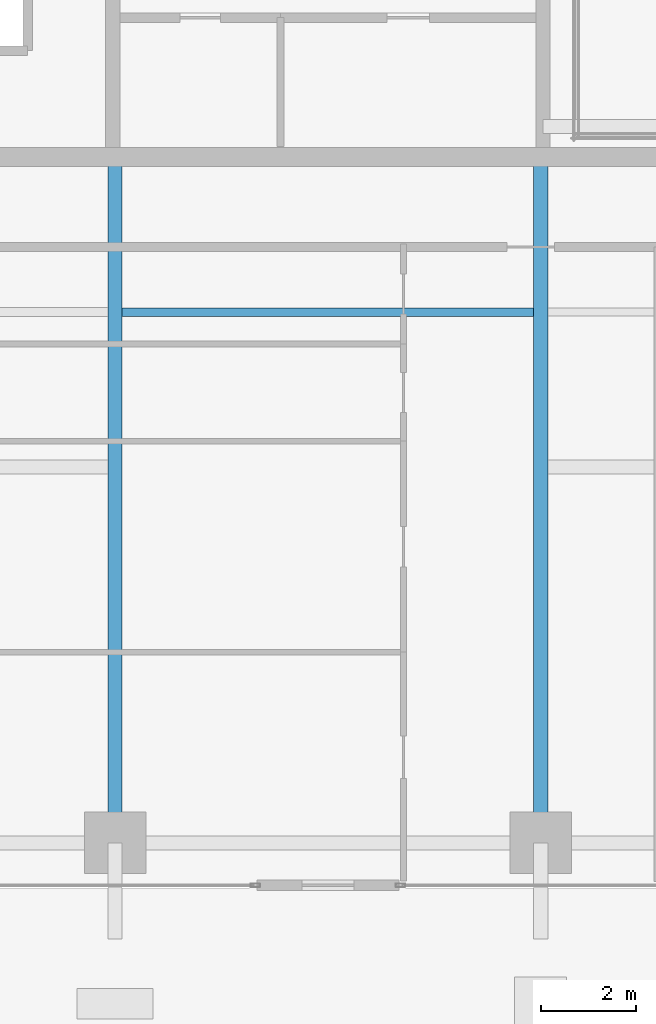
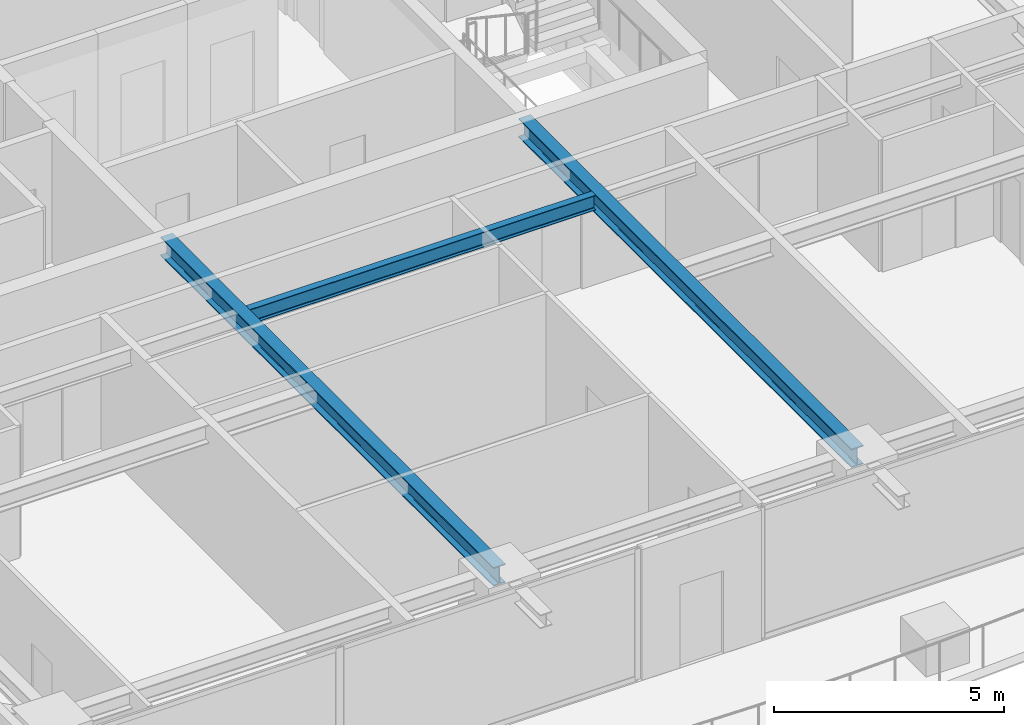
# One storey, part 6 of 37: 3 beams.
"""IFC4 building model written with IfcOpenShell, lengths in metres."""

from ifc_helpers import new_model, si_unit, direction, frame, origin, origin_2d, place, context, subcontext, project, spatial, i_section, extrude, source, transform, mapped, material, material_profile, profile_set, type_object, element, save


model = new_model("IFC4")

# Units and contexts
model_context = context("Model", 3, precision=1e-05, world=origin(), true_north=direction((0.0, 1.0)))
body_context = subcontext(model_context, "Body", "Model", "MODEL_VIEW")
ifc_project = project(units=[si_unit("LENGTHUNIT", "METRE"), si_unit("AREAUNIT", "SQUARE_METRE"), si_unit("VOLUMEUNIT", "CUBIC_METRE"), si_unit("PLANEANGLEUNIT", "RADIAN"), si_unit("MASSUNIT", "GRAM", prefix="KILO")], contexts=[model_context])

# Site, building, storey
site_placement = place(None, origin())
site = spatial("IfcSite", under=ifc_project, at=site_placement, CompositionType="ELEMENT")
building_placement = place(site_placement, origin())
building = spatial("IfcBuilding", under=site, at=building_placement, Name="Serunith Strait Residences", CompositionType="ELEMENT")
storey_placement = place(building_placement, frame((0.0, 0.0, 161.39990234375)))
storey = spatial("IfcBuildingStorey", under=building, at=storey_placement, Name="L40", CompositionType="ELEMENT", Elevation=161.39990234375)

# Beams
ifc_material = material(Name="Steel S355J2", Category="steel")
ifc_material_profile_1 = material_profile(ifc_material, i_section(OverallWidth=0.179931640625, OverallDepth=0.39990234375, WebThickness=0.008544921875, FlangeThickness=0.013427734375, FilletRadius=0.02099609375, at=origin_2d()), Name="IPE 400")
ifc_profile_set_1 = profile_set([ifc_material_profile_1], Name="Steel S355J2")
beam_type_1 = type_object("IfcBeamType", Name="BM-IPE400", PredefinedType="JOIST", material=ifc_profile_set_1)
shared_shape_1 = source(origin(), body_context, "Body", "SweptSolid", [
    extrude(i_section(OverallWidth=0.179931640625, OverallDepth=0.39990234375, WebThickness=0.008544921875, FlangeThickness=0.013427734375, FilletRadius=0.02099609375, at=origin_2d()), origin(), (0.0, 0.0, 1.0), 8.699951171875),
])
beam_placement = place(storey_placement, frame((28.050048828125, 13.52490234375, 3.287109375), z_axis=(1.0, 0.0, 0.0), x_axis=(0.0, 1.0, 0.0)))
element("IfcBeam", 1, at=beam_placement, inside=storey, type_object=beam_type_1, Name="L40 Composite Floor Joist 02", PredefinedType="JOIST", context=body_context, shape_type="MappedRepresentation", body=[
    mapped(shared_shape_1, transform((0.0, 0.0, 0.0), scale=1.0)),
])
ifc_material_profile_2 = material_profile(ifc_material, i_section(OverallWidth=0.300048828125, OverallDepth=0.5, WebThickness=0.014404296875, FlangeThickness=0.028076171875, FilletRadius=0.027099609375, at=origin_2d()), Name="HEB 500")
ifc_profile_set_2 = profile_set([ifc_material_profile_2], Name="Steel S355J2")
beam_type_2 = type_object("IfcBeamType", Name="BM-HEB500", PredefinedType="BEAM", material=ifc_profile_set_2)
shared_shape_2 = source(origin(), body_context, "Body", "SweptSolid", [
    extrude(i_section(OverallWidth=0.300048828125, OverallDepth=0.5, WebThickness=0.014404296875, FlangeThickness=0.028076171875, FilletRadius=0.027099609375, at=origin_2d()), origin(), (0.0, 0.0, 1.0), 14.5),
])
for number, where, z_axis, x_axis, name in (
    (2, (27.89990234375, 16.800048828125, 3.237060546875), (0.0, -1.0, 0.0), (1.0, 0.0, 0.0), "L40 Primary Floor Girder TC-S2"),
    (3, (36.89990234375, 16.800048828125, 3.237060546875), (0.0, -1.0, 0.0), (1.0, 0.0, 0.0), "L40 Primary Floor Girder TC-S3"),
):
    element("IfcBeam", number, at=place(storey_placement, frame(where, z_axis=z_axis, x_axis=x_axis)), inside=storey, type_object=beam_type_2, Name=name, PredefinedType="BEAM", context=body_context, shape_type="MappedRepresentation", body=[
        mapped(shared_shape_2, transform((0.0, 0.0, 0.0), scale=1.0)),
    ])

save(model, "model.ifc")
